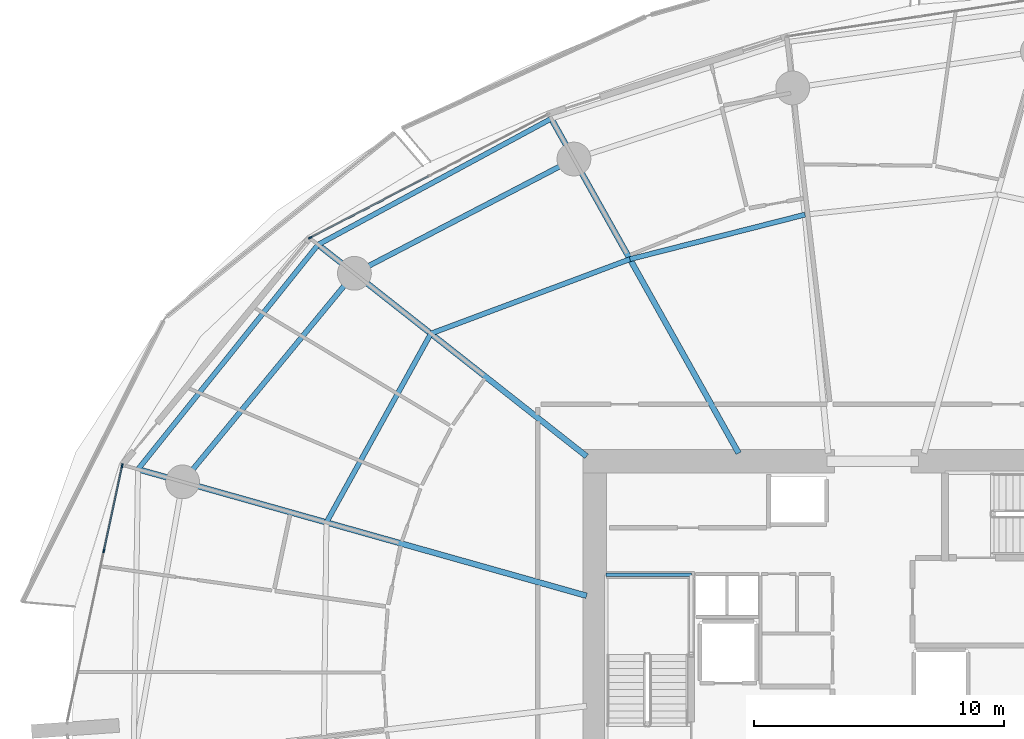
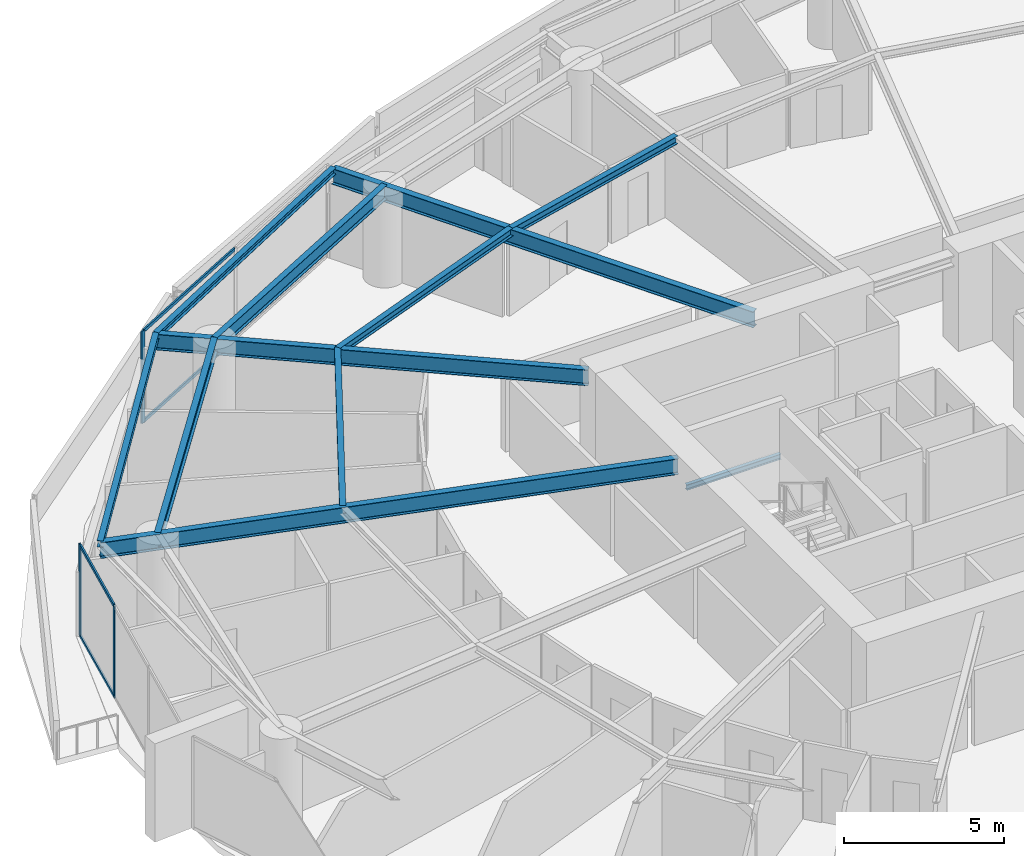
# One storey, part 12 of 32: 11 beams, 7 members, 2 elements without a shape of their own.
"""IFC4 building model written with IfcOpenShell, lengths in metres."""

from ifc_helpers import new_model, si_unit, direction, frame, origin, origin_2d, place, context, subcontext, project, spatial, rectangle, i_section, extrude, material, layer, layer_set, material_profile, profile_set, type_object, element, aggregate, save


model = new_model("IFC4")

# Units and contexts
model_context = context("Model", 3, precision=1e-05, world=origin(), true_north=direction((0.0, 1.0)))
body_context = subcontext(model_context, "Body", "Model", "MODEL_VIEW")
ifc_project = project(units=[si_unit("LENGTHUNIT", "METRE"), si_unit("AREAUNIT", "SQUARE_METRE"), si_unit("VOLUMEUNIT", "CUBIC_METRE"), si_unit("PLANEANGLEUNIT", "RADIAN"), si_unit("MASSUNIT", "GRAM", prefix="KILO")], contexts=[model_context])

# Site, building, storey
site_placement = place(None, origin())
site = spatial("IfcSite", under=ifc_project, at=site_placement, CompositionType="ELEMENT")
building_placement = place(site_placement, origin())
building = spatial("IfcBuilding", under=site, at=building_placement, Name="Kazma Halo Residences", CompositionType="ELEMENT")
storey_placement = place(building_placement, frame((0.0, 0.0, 63.89990234375)))
storey = spatial("IfcBuildingStorey", under=building, at=storey_placement, Name="L15", CompositionType="ELEMENT", Elevation=63.89990234375)

# Beams
ifc_material_1 = material(Name="Steel S355", Category="steel")
ifc_material_profile_1 = material_profile(ifc_material_1, i_section(OverallWidth=0.201904296875, OverallDepth=0.2470703125, WebThickness=0.00732421875, FlangeThickness=0.010986328125, FilletRadius=0.011962890625, at=origin_2d()), Name="W250x49.1")
ifc_profile_set_1 = profile_set([ifc_material_profile_1], Name="Steel S355")
beam_type_1 = type_object("IfcBeamType", Name="BM-BAL-CANT", PredefinedType="BEAM", material=ifc_profile_set_1)
beam_1_placement = place(storey_placement, frame((35.587646484375, 64.163818359375, 3.376708984375), z_axis=(-0.879759421466, -0.47541914175, 0.0), x_axis=(0.47541914175, -0.879759421466, 0.0)))
element("IfcBeam", 1, at=beam_1_placement, inside=storey, type_object=beam_type_1, Name="L15 wave-balcony tie beam 05", PredefinedType="BEAM", context=body_context, shape_type="SweptSolid", body=[
    extrude(i_section(OverallWidth=0.201904296875, OverallDepth=0.2470703125, WebThickness=0.00732421875, FlangeThickness=0.010986328125, FilletRadius=0.011962890625, at=origin_2d()), origin(), (0.0, 0.0, 1.0), 10.58935546875),
])
beam_2_placement = place(storey_placement, frame((26.271484375, 59.12939453125, 3.376708984375), z_axis=(-0.625476617708, -0.780242911343, 0.0), x_axis=(0.780242911343, -0.625476617708, 0.0)))
element("IfcBeam", 2, at=beam_2_placement, inside=storey, type_object=beam_type_1, Name="L15 wave-balcony tie beam 06", PredefinedType="BEAM", context=body_context, shape_type="SweptSolid", body=[
    extrude(i_section(OverallWidth=0.201904296875, OverallDepth=0.2470703125, WebThickness=0.00732421875, FlangeThickness=0.010986328125, FilletRadius=0.011962890625, at=origin_2d()), origin(), (0.0, 0.0, 1.0), 11.499755859375),
])
ifc_material_profile_2 = material_profile(ifc_material_1, i_section(OverallWidth=0.22802734375, OverallDepth=0.60791015625, WebThickness=0.01123046875, FlangeThickness=0.017333984375, FilletRadius=0.01806640625, at=origin_2d()), Name="W610x113")
ifc_profile_set_2 = profile_set([ifc_material_profile_2], Name="Steel S355")
beam_type_2 = type_object("IfcBeamType", Name="BM-RAD-W610", PredefinedType="BEAM", material=ifc_profile_set_2)
beam_3_placement = place(storey_placement, frame((43.07177734375, 50.800048828125, 3.196044921875), z_axis=(-0.488624239587, 0.872494328055, 0.0), x_axis=(-0.872494328055, -0.488624239587, 0.0)))
element("IfcBeam", 3, at=beam_3_placement, inside=storey, type_object=beam_type_2, Name="L15 radial floor beam 05", PredefinedType="BEAM", context=body_context, shape_type="SweptSolid", body=[
    extrude(i_section(OverallWidth=0.22802734375, OverallDepth=0.60791015625, WebThickness=0.01123046875, FlangeThickness=0.017333984375, FilletRadius=0.01806640625, at=origin_2d()), origin(), (0.0, 0.0, 1.0), 15.316650390625),
])
beam_4_placement = place(storey_placement, frame((37.0, 50.671630859375, 3.196044921875), z_axis=(-0.78531394447, 0.619097737536, 0.0), x_axis=(-0.619097737536, -0.78531394447, 0.0)))
element("IfcBeam", 4, at=beam_4_placement, inside=storey, type_object=beam_type_2, Name="L15 radial floor beam 06", PredefinedType="BEAM", context=body_context, shape_type="SweptSolid", body=[
    extrude(i_section(OverallWidth=0.22802734375, OverallDepth=0.60791015625, WebThickness=0.01123046875, FlangeThickness=0.017333984375, FilletRadius=0.01806640625, at=origin_2d()), origin(), (0.0, 0.0, 1.0), 13.661376953125),
])
beam_5_placement = place(storey_placement, frame((37.0, 45.102294921875, 3.196044921875), z_axis=(-0.962453979784, 0.271444905641, 0.0), x_axis=(-0.271444905641, -0.962453979784, 0.0)))
element("IfcBeam", 5, at=beam_5_placement, inside=storey, type_object=beam_type_2, Name="L15 radial floor beam 07", PredefinedType="BEAM", context=body_context, shape_type="SweptSolid", body=[
    extrude(i_section(OverallWidth=0.22802734375, OverallDepth=0.60791015625, WebThickness=0.01123046875, FlangeThickness=0.017333984375, FilletRadius=0.01806640625, at=origin_2d()), origin(), (0.0, 0.0, 1.0), 18.62060546875),
])
ifc_material_profile_3 = material_profile(ifc_material_1, i_section(OverallWidth=0.202880859375, OverallDepth=0.302978515625, WebThickness=0.007568359375, FlangeThickness=0.01318359375, FilletRadius=0.013916015625, at=origin_2d()), Name="W310x60")
ifc_profile_set_3 = profile_set([ifc_material_profile_3], Name="Steel S355")
beam_type_3 = type_object("IfcBeamType", Name="BM-SEC-W310A", PredefinedType="JOIST", material=ifc_profile_set_3)
beam_6_placement = place(storey_placement, frame((45.7236328125, 60.329833984375, 3.3486328125), z_axis=(-0.969127021388, -0.246561993047, 0.0), x_axis=(0.246561993047, -0.969127021388, 0.0)))
element("IfcBeam", 6, at=beam_6_placement, inside=storey, type_object=beam_type_3, Name="L15 circumferential floor joist 04", PredefinedType="JOIST", context=body_context, shape_type="SweptSolid", body=[
    extrude(i_section(OverallWidth=0.202880859375, OverallDepth=0.302978515625, WebThickness=0.007568359375, FlangeThickness=0.01318359375, FilletRadius=0.013916015625, at=origin_2d()), origin(), (0.0, 0.0, 1.0), 7.21533203125),
])
beam_7_placement = place(storey_placement, frame((38.73095703125, 58.55078125, 3.3486328125), z_axis=(-0.936676104069, -0.350196910417, 0.0), x_axis=(0.350196910417, -0.936676104069, 0.0)))
element("IfcBeam", 7, at=beam_7_placement, inside=storey, type_object=beam_type_3, Name="L15 circumferential floor joist 05", PredefinedType="JOIST", context=body_context, shape_type="SweptSolid", body=[
    extrude(i_section(OverallWidth=0.202880859375, OverallDepth=0.302978515625, WebThickness=0.007568359375, FlangeThickness=0.01318359375, FilletRadius=0.013916015625, at=origin_2d()), origin(), (0.0, 0.0, 1.0), 8.4912109375),
])
beam_8_placement = place(storey_placement, frame((30.77734375, 55.5771484375, 3.3486328125), z_axis=(-0.483953872195, -0.875093509054, 0.0), x_axis=(0.875093509054, -0.483953872195, 0.0)))
element("IfcBeam", 8, at=beam_8_placement, inside=storey, type_object=beam_type_3, Name="L15 circumferential floor joist 06", PredefinedType="JOIST", context=body_context, shape_type="SweptSolid", body=[
    extrude(i_section(OverallWidth=0.202880859375, OverallDepth=0.302978515625, WebThickness=0.007568359375, FlangeThickness=0.01318359375, FilletRadius=0.013916015625, at=origin_2d()), origin(), (0.0, 0.0, 1.0), 8.619873046875),
])
ifc_material_profile_4 = material_profile(ifc_material_1, i_section(OverallWidth=0.208984375, OverallDepth=0.532958984375, WebThickness=0.01025390625, FlangeThickness=0.015625, FilletRadius=0.01611328125, at=origin_2d()), Name="W530x92")
ifc_profile_set_4 = profile_set([ifc_material_profile_4], Name="Steel S355")
beam_type_4 = type_object("IfcBeamType", Name="BM-SPN-W530", PredefinedType="BEAM", material=ifc_profile_set_4)
beam_9_placement = place(storey_placement, frame((36.49169921875, 62.549560546875, 3.233642578125), z_axis=(-0.886956241699, -0.461853467358, 0.0), x_axis=(0.461853467358, -0.886956241699, 0.0)))
element("IfcBeam", 9, at=beam_9_placement, inside=storey, type_object=beam_type_4, Name="L15 perimeter ring beam 05", PredefinedType="BEAM", context=body_context, shape_type="SweptSolid", body=[
    extrude(i_section(OverallWidth=0.208984375, OverallDepth=0.532958984375, WebThickness=0.01025390625, FlangeThickness=0.015625, FilletRadius=0.01611328125, at=origin_2d()), origin(), (0.0, 0.0, 1.0), 9.885009765625),
])
beam_10_placement = place(storey_placement, frame((27.72412109375, 57.984130859375, 3.233642578125), z_axis=(-0.636001336663, -0.771687954916, 0.0), x_axis=(0.771687954916, -0.636001336663, 0.0)))
element("IfcBeam", 10, at=beam_10_placement, inside=storey, type_object=beam_type_4, Name="L15 perimeter ring beam 06", PredefinedType="BEAM", context=body_context, shape_type="SweptSolid", body=[
    extrude(i_section(OverallWidth=0.208984375, OverallDepth=0.532958984375, WebThickness=0.01025390625, FlangeThickness=0.015625, FilletRadius=0.01611328125, at=origin_2d()), origin(), (0.0, 0.0, 1.0), 10.7939453125),
])
ifc_material_profile_5 = material_profile(ifc_material_1, i_section(OverallWidth=0.133056640625, OverallDepth=0.20703125, WebThickness=0.005859375, FlangeThickness=0.00830078125, FilletRadius=0.010009765625, at=origin_2d()), Name="W200x26.6")
ifc_profile_set_5 = profile_set([ifc_material_profile_5], Name="Steel S355")
beam_type_5 = type_object("IfcBeamType", Name="BM-TRIM-W200", PredefinedType="BEAM", material=ifc_profile_set_5)
beam_11_placement = place(storey_placement, frame((37.780029296875, 45.93994140625, 1.570068359375), z_axis=(1.0, 0.0, 0.0), x_axis=(0.0, 1.0, 0.0)))
element("IfcBeam", 11, at=beam_11_placement, inside=storey, type_object=beam_type_5, Name="L15 ST-01 landing end wall ledger", PredefinedType="BEAM", context=body_context, shape_type="SweptSolid", body=[
    extrude(i_section(OverallWidth=0.133056640625, OverallDepth=0.20703125, WebThickness=0.005859375, FlangeThickness=0.00830078125, FilletRadius=0.010009765625, at=origin_2d()), origin(), (0.0, 0.0, 1.0), 3.39990234375),
])

# Curtain wall, member
ifc_material_2 = material(Name="Aluminium AW-6063 T6 and Triple-Silver Low-E Glass", Category="aluminium")
ifc_layer = layer(ifc_material_2, 0.159912109375)
ifc_layer_set = layer_set([ifc_layer], Name="Aluminium AW-6063 T6 and Triple-Silver Low-E Glass")
curtain_wall_type = type_object("IfcCurtainWallType", Name="CW-SYS-2", PredefinedType="NOTDEFINED", material=ifc_layer_set)
curtain_wall_1_placement = place(storey_placement, origin())
curtain_wall_1 = element("IfcCurtainWall", 12, at=curtain_wall_1_placement, inside=storey, type_object=curtain_wall_type, Name="L15 unitised curtain wall B05", PredefinedType="NOTDEFINED")
ifc_material_3 = material(Name="Aluminium AW-6063 T6", Category="aluminium")
ifc_material_profile_6 = material_profile(ifc_material_3, rectangle(XDim=0.06005859375, YDim=0.159912109375, at=origin_2d()), Name="CWM-60x160")
ifc_profile_set_6 = profile_set([ifc_material_profile_6], Name="Aluminium AW-6063 T6")
member_type_1 = type_object("IfcMemberType", Name="CW-SYS-2-MUL", PredefinedType="MULLION", material=ifc_profile_set_6)
member_1_placement = place(storey_placement, frame((25.96142578125, 59.408447265625, 0.0), z_axis=(0.0, 0.0, 1.0), x_axis=(0.460995912628, -0.887402258584, 0.0)))
member_1 = element("IfcMember", 13, at=member_1_placement, type_object=member_type_1, Name="CWS-2 mullion 3", PredefinedType="MULLION", context=body_context, shape_type="SweptSolid", body=[
    extrude(rectangle(XDim=0.06005859375, YDim=0.159912109375, at=origin_2d()), origin(), (0.0, 0.0, 1.0), 3.5),
])

# Curtain wall, members
curtain_wall_2_placement = place(storey_placement, origin())
curtain_wall_2 = element("IfcCurtainWall", 14, at=curtain_wall_2_placement, inside=storey, type_object=curtain_wall_type, Name="L15 unitised curtain wall B07", PredefinedType="NOTDEFINED")
member_2_placement = place(storey_placement, frame((18.447021484375, 50.3037109375, 0.0), z_axis=(0.0, 0.0, 1.0), x_axis=(0.977779215096, -0.209637321406, 0.0)))
member_2 = element("IfcMember", 15, at=member_2_placement, type_object=member_type_1, Name="CWS-2 mullion 1", PredefinedType="MULLION", context=body_context, shape_type="SweptSolid", body=[
    extrude(rectangle(XDim=0.06005859375, YDim=0.159912109375, at=origin_2d()), origin(), (0.0, 0.0, 1.0), 3.5),
])
member_3_placement = place(storey_placement, frame((17.717041015625, 46.898681640625, 0.0), z_axis=(0.0, 0.0, 1.0), x_axis=(0.977779215096, -0.209637321406, 0.0)))
member_3 = element("IfcMember", 16, at=member_3_placement, type_object=member_type_1, Name="CWS-2 mullion 2", PredefinedType="MULLION", context=body_context, shape_type="SweptSolid", body=[
    extrude(rectangle(XDim=0.06005859375, YDim=0.159912109375, at=origin_2d()), origin(), (0.0, 0.0, 1.0), 3.5),
])

# Member
ifc_material_profile_7 = material_profile(ifc_material_3, rectangle(XDim=0.06005859375, YDim=0.1201171875, at=origin_2d()), Name="CWT-60x120")
ifc_profile_set_7 = profile_set([ifc_material_profile_7], Name="Aluminium AW-6063 T6")
member_type_2 = type_object("IfcMemberType", Name="CW-SYS-2-TRN", PredefinedType="USERDEFINED", material=ifc_profile_set_7)
member_4_placement = place(storey_placement, frame((30.681396484375, 61.8603515625, 0.030029296875), z_axis=(-0.887414738583, -0.460971888238, 0.0), x_axis=(0.460971888238, -0.887414738583, 0.0)))
member_4 = element("IfcMember", 17, at=member_4_placement, type_object=member_type_2, Name="CWS-2 transom 2.1", ObjectType="TRANSOM", PredefinedType="USERDEFINED", context=body_context, shape_type="SweptSolid", body=[
    extrude(rectangle(XDim=0.06005859375, YDim=0.1201171875, at=origin_2d()), origin(), (0.0, 0.0, 1.0), 5.288818359375),
])

member_5_placement = place(storey_placement, frame((30.681396484375, 61.8603515625, 3.47021484375), z_axis=(-0.887414738583, -0.460971888238, 0.0), x_axis=(0.460971888238, -0.887414738583, 0.0)))
member_5 = element("IfcMember", 18, at=member_5_placement, type_object=member_type_2, Name="CWS-2 transom 2.2", ObjectType="TRANSOM", PredefinedType="USERDEFINED", context=body_context, shape_type="SweptSolid", body=[
    extrude(rectangle(XDim=0.06005859375, YDim=0.1201171875, at=origin_2d()), origin(), (0.0, 0.0, 1.0), 5.288818359375),
])

aggregate(curtain_wall_1, [member_1, member_4, member_5])

member_6_placement = place(storey_placement, frame((18.440673828125, 50.2744140625, 0.030029296875), z_axis=(-0.209650877007, -0.977776308657, 0.0), x_axis=(0.977776308657, -0.209650877007, 0.0)))
member_6 = element("IfcMember", 19, at=member_6_placement, type_object=member_type_2, Name="CWS-2 transom 1.1", ObjectType="TRANSOM", PredefinedType="USERDEFINED", context=body_context, shape_type="SweptSolid", body=[
    extrude(rectangle(XDim=0.06005859375, YDim=0.1201171875, at=origin_2d()), origin(), (0.0, 0.0, 1.0), 3.422607421875),
])

member_7_placement = place(storey_placement, frame((18.440673828125, 50.2744140625, 3.47021484375), z_axis=(-0.209650877007, -0.977776308657, 0.0), x_axis=(0.977776308657, -0.209650877007, 0.0)))
member_7 = element("IfcMember", 20, at=member_7_placement, type_object=member_type_2, Name="CWS-2 transom 1.2", ObjectType="TRANSOM", PredefinedType="USERDEFINED", context=body_context, shape_type="SweptSolid", body=[
    extrude(rectangle(XDim=0.06005859375, YDim=0.1201171875, at=origin_2d()), origin(), (0.0, 0.0, 1.0), 3.422607421875),
])

aggregate(curtain_wall_2, [member_2, member_3, member_6, member_7])

save(model, "model.ifc")
